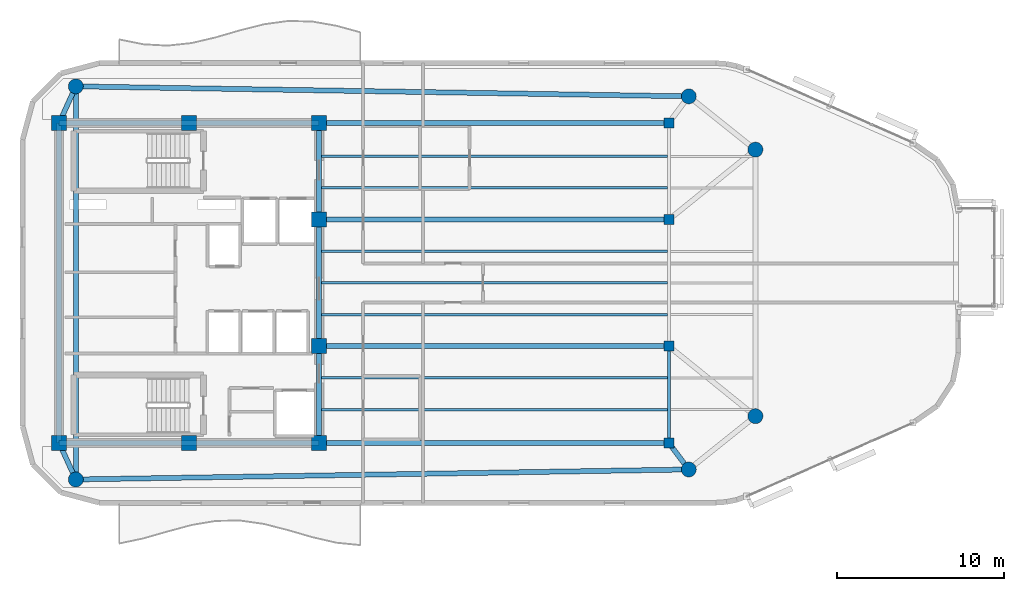
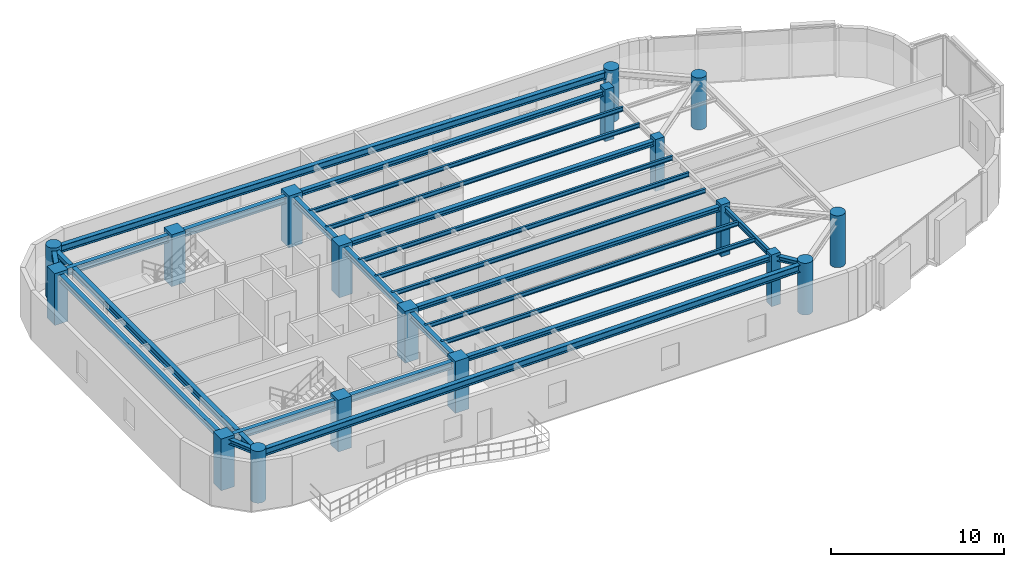
# One storey, part 1 of 13: 24 beams, 18 columns.
"""IFC4 building model written with IfcOpenShell, lengths in metres."""

from ifc_helpers import new_model, si_unit, direction, frame, origin, origin_2d, place, context, subcontext, project, spatial, rectangle, circle, i_section, extrude, material, material_profile, profile_set, type_object, element, save


model = new_model("IFC4")

# Units and contexts
model_context = context("Model", 3, precision=1e-05, world=origin(), true_north=direction((0.0, 1.0)))
body_context = subcontext(model_context, "Body", "Model", "MODEL_VIEW")
ifc_project = project(units=[si_unit("LENGTHUNIT", "METRE"), si_unit("AREAUNIT", "SQUARE_METRE"), si_unit("VOLUMEUNIT", "CUBIC_METRE"), si_unit("PLANEANGLEUNIT", "RADIAN"), si_unit("MASSUNIT", "GRAM", prefix="KILO")], contexts=[model_context])

# Site, building, storey
site_placement = place(None, origin())
site = spatial("IfcSite", under=ifc_project, at=site_placement, CompositionType="ELEMENT")
building_placement = place(site_placement, origin())
building = spatial("IfcBuilding", under=site, at=building_placement, Name="An Khanh Terracotta Commons", CompositionType="ELEMENT")
storey_placement = place(building_placement, frame((0.0, 0.0, 277.050048828125)))
storey = spatial("IfcBuildingStorey", under=building, at=storey_placement, Name="L72", CompositionType="ELEMENT", Elevation=277.050048828125)

# Columns
ifc_material_1 = material(Name="Concrete C50/60", Category="concrete")
ifc_material_profile_1 = material_profile(ifc_material_1, circle(Radius=0.449951171875, at=origin_2d()), Name="CFST900")
ifc_profile_set_1 = profile_set([ifc_material_profile_1], Name="Concrete C50/60")
column_type_1 = type_object("IfcColumnType", Name="COL-CFST900", PredefinedType="COLUMN", material=ifc_profile_set_1)
for number, where, z_axis, x_axis, name in (
    (1, (22.60009765625, 12.199951171875, 0.0), (0.0, 0.0, 1.0), (1.0, 0.0, 0.0), "L72 Perimeter CFST Mega-Column MC-01"),
    (2, (59.39990234375, 12.800048828125, 0.0), (0.0, 0.0, 1.0), (1.0, 0.0, 0.0), "L72 Perimeter CFST Mega-Column MC-02"),
    (3, (63.39990234375, 16.0, 0.0), (0.0, 0.0, 1.0), (1.0, 0.0, 0.0), "L72 Perimeter CFST Mega-Column MC-03"),
    (4, (63.39990234375, 32.0, 0.0), (0.0, 0.0, 1.0), (1.0, 0.0, 0.0), "L72 Perimeter CFST Mega-Column MC-04"),
    (5, (59.39990234375, 35.199951171875, 0.0), (0.0, 0.0, 1.0), (1.0, 0.0, 0.0), "L72 Perimeter CFST Mega-Column MC-05"),
    (6, (22.60009765625, 35.800048828125, 0.0), (0.0, 0.0, 1.0), (1.0, 0.0, 0.0), "L72 Perimeter CFST Mega-Column MC-06"),
):
    element("IfcColumn", number, at=place(storey_placement, frame(where, z_axis=z_axis, x_axis=x_axis)), inside=storey, type_object=column_type_1, Name=name, PredefinedType="COLUMN", context=body_context, shape_type="SweptSolid", body=[
        extrude(circle(Radius=0.449951171875, at=origin_2d()), origin(), (0.0, 0.0, 1.0), 3.64990234375),
    ])
ifc_material_profile_2 = material_profile(ifc_material_1, rectangle(XDim=0.60009765625, YDim=0.60009765625, at=origin_2d()), Name="RC600x600")
ifc_profile_set_2 = profile_set([ifc_material_profile_2], Name="Concrete C50/60")
column_type_2 = type_object("IfcColumnType", Name="COL-RC600x600", PredefinedType="COLUMN", material=ifc_profile_set_2)
for number, where, z_axis, x_axis, name in (
    (7, (58.199951171875, 14.39990234375, 0.0), (0.0, 0.0, 1.0), (1.0, 0.0, 0.0), "L72 Interior Frame Column TC-01"),
    (8, (58.199951171875, 20.199951171875, 0.0), (0.0, 0.0, 1.0), (1.0, 0.0, 0.0), "L72 Interior Frame Column TC-02"),
    (9, (58.199951171875, 27.800048828125, 0.0), (0.0, 0.0, 1.0), (1.0, 0.0, 0.0), "L72 Interior Frame Column TC-03"),
    (10, (58.199951171875, 33.60009765625, 0.0), (0.0, 0.0, 1.0), (1.0, 0.0, 0.0), "L72 Interior Frame Column TC-04"),
):
    element("IfcColumn", number, at=place(storey_placement, frame(where, z_axis=z_axis, x_axis=x_axis)), inside=storey, type_object=column_type_2, Name=name, PredefinedType="COLUMN", context=body_context, shape_type="SweptSolid", body=[
        extrude(rectangle(XDim=0.60009765625, YDim=0.60009765625, at=origin_2d()), origin(), (0.0, 0.0, 1.0), 3.64990234375),
    ])
ifc_material_profile_3 = material_profile(ifc_material_1, rectangle(XDim=0.89990234375, YDim=0.89990234375, at=origin_2d()), Name="RC900x900")
ifc_profile_set_3 = profile_set([ifc_material_profile_3], Name="Concrete C50/60")
column_type_3 = type_object("IfcColumnType", Name="COL-RC900x900", PredefinedType="COLUMN", material=ifc_profile_set_3)
for number, where, z_axis, x_axis, name in (
    (11, (21.60009765625, 14.39990234375, 0.0), (0.0, 0.0, 1.0), (1.0, 0.0, 0.0), "L72 Core Boundary Column CC-01"),
    (12, (29.39990234375, 14.39990234375, 0.0), (0.0, 0.0, 1.0), (1.0, 0.0, 0.0), "L72 Core Boundary Column CC-02"),
    (13, (37.199951171875, 14.39990234375, 0.0), (0.0, 0.0, 1.0), (1.0, 0.0, 0.0), "L72 Core Boundary Column CC-03"),
    (14, (37.199951171875, 20.199951171875, 0.0), (0.0, 0.0, 1.0), (1.0, 0.0, 0.0), "L72 Core Boundary Column CC-04"),
    (15, (37.199951171875, 27.800048828125, 0.0), (0.0, 0.0, 1.0), (1.0, 0.0, 0.0), "L72 Core Boundary Column CC-05"),
    (16, (37.199951171875, 33.60009765625, 0.0), (0.0, 0.0, 1.0), (1.0, 0.0, 0.0), "L72 Core Boundary Column CC-06"),
    (17, (29.39990234375, 33.60009765625, 0.0), (0.0, 0.0, 1.0), (1.0, 0.0, 0.0), "L72 Core Boundary Column CC-07"),
    (18, (21.60009765625, 33.60009765625, 0.0), (0.0, 0.0, 1.0), (1.0, 0.0, 0.0), "L72 Core Boundary Column CC-08"),
):
    element("IfcColumn", number, at=place(storey_placement, frame(where, z_axis=z_axis, x_axis=x_axis)), inside=storey, type_object=column_type_3, Name=name, PredefinedType="COLUMN", context=body_context, shape_type="SweptSolid", body=[
        extrude(rectangle(XDim=0.89990234375, YDim=0.89990234375, at=origin_2d()), origin(), (0.0, 0.0, 1.0), 3.64990234375),
    ])

# Beams
ifc_material_2 = material(Name="Steel S355J2", Category="steel")
ifc_material_profile_4 = material_profile(ifc_material_2, i_section(OverallWidth=0.300048828125, OverallDepth=0.340087890625, WebThickness=0.011962890625, FlangeThickness=0.021484375, FilletRadius=0.027099609375, at=origin_2d()), Name="HEB340")
ifc_profile_set_4 = profile_set([ifc_material_profile_4], Name="Steel S355J2")
beam_type_1 = type_object("IfcBeamType", Name="BM-HEB340", PredefinedType="BEAM", material=ifc_profile_set_4)
for number, where, z_axis, x_axis, name in (
    (19, (37.199951171875, 14.39990234375, 3.280029296875), (1.0, 0.0, 0.0), (0.0, 1.0, 0.0), "L72 East Primary Floor Girder 1"),
    (20, (37.199951171875, 20.199951171875, 3.280029296875), (1.0, 0.0, 0.0), (0.0, 1.0, 0.0), "L72 East Primary Floor Girder 2"),
    (21, (37.199951171875, 27.800048828125, 3.280029296875), (1.0, 0.0, 0.0), (0.0, 1.0, 0.0), "L72 East Primary Floor Girder 3"),
    (22, (37.199951171875, 33.60009765625, 3.280029296875), (1.0, 0.0, 0.0), (0.0, 1.0, 0.0), "L72 East Primary Floor Girder 4"),
):
    element("IfcBeam", number, at=place(storey_placement, frame(where, z_axis=z_axis, x_axis=x_axis)), inside=storey, type_object=beam_type_1, Name=name, PredefinedType="BEAM", context=body_context, shape_type="SweptSolid", body=[
        extrude(i_section(OverallWidth=0.300048828125, OverallDepth=0.340087890625, WebThickness=0.011962890625, FlangeThickness=0.021484375, FilletRadius=0.027099609375, at=origin_2d()), origin(), (0.0, 0.0, 1.0), 21.0),
    ])
beam_1_placement = place(storey_placement, frame((22.60009765625, 12.199951171875, 3.280029296875), z_axis=(-0.413810555983, 0.910363017569, 0.0), x_axis=(-0.910363017569, -0.413810555983, 0.0)))
element("IfcBeam", 23, at=beam_1_placement, inside=storey, type_object=beam_type_1, Name="L72 Mega-Column Tie Girder 1", PredefinedType="BEAM", context=body_context, shape_type="SweptSolid", body=[
    extrude(i_section(OverallWidth=0.300048828125, OverallDepth=0.340087890625, WebThickness=0.011962890625, FlangeThickness=0.021484375, FilletRadius=0.027099609375, at=origin_2d()), origin(), (0.0, 0.0, 1.0), 2.41650390625),
])
beam_2_placement = place(storey_placement, frame((59.39990234375, 12.800048828125, 3.280029296875), z_axis=(-0.600019532502, 0.799985350251, 0.0), x_axis=(-0.799985350251, -0.600019532502, 0.0)))
element("IfcBeam", 24, at=beam_2_placement, inside=storey, type_object=beam_type_1, Name="L72 Mega-Column Tie Girder 2", PredefinedType="BEAM", context=body_context, shape_type="SweptSolid", body=[
    extrude(i_section(OverallWidth=0.300048828125, OverallDepth=0.340087890625, WebThickness=0.011962890625, FlangeThickness=0.021484375, FilletRadius=0.027099609375, at=origin_2d()), origin(), (0.0, 0.0, 1.0), 1.999755859375),
])
beam_3_placement = place(storey_placement, frame((22.60009765625, 35.800048828125, 3.280029296875), z_axis=(-0.413810555983, -0.910363017569, 0.0), x_axis=(0.910363017569, -0.413810555983, 0.0)))
element("IfcBeam", 25, at=beam_3_placement, inside=storey, type_object=beam_type_1, Name="L72 Mega-Column Tie Girder 6", PredefinedType="BEAM", context=body_context, shape_type="SweptSolid", body=[
    extrude(i_section(OverallWidth=0.300048828125, OverallDepth=0.340087890625, WebThickness=0.011962890625, FlangeThickness=0.021484375, FilletRadius=0.027099609375, at=origin_2d()), origin(), (0.0, 0.0, 1.0), 2.41650390625),
])
ifc_material_profile_5 = material_profile(ifc_material_2, i_section(OverallWidth=0.300048828125, OverallDepth=0.449951171875, WebThickness=0.013916015625, FlangeThickness=0.02587890625, FilletRadius=0.027099609375, at=origin_2d()), Name="HEB450")
ifc_profile_set_5 = profile_set([ifc_material_profile_5], Name="Steel S355J2")
beam_type_2 = type_object("IfcBeamType", Name="BM-HEB450", PredefinedType="BEAM", material=ifc_profile_set_5)
beam_4_placement = place(storey_placement, frame((37.199951171875, 14.39990234375, 3.224853515625), z_axis=(0.0, 1.0, 0.0), x_axis=(-1.0, 0.0, 0.0)))
element("IfcBeam", 26, at=beam_4_placement, inside=storey, type_object=beam_type_2, Name="L72 Core East Coupling Girder 1", PredefinedType="BEAM", context=body_context, shape_type="SweptSolid", body=[
    extrude(i_section(OverallWidth=0.300048828125, OverallDepth=0.449951171875, WebThickness=0.013916015625, FlangeThickness=0.02587890625, FilletRadius=0.027099609375, at=origin_2d()), origin(), (0.0, 0.0, 1.0), 5.800048828125),
])
beam_5_placement = place(storey_placement, frame((37.199951171875, 20.199951171875, 3.224853515625), z_axis=(0.0, 1.0, 0.0), x_axis=(-1.0, 0.0, 0.0)))
element("IfcBeam", 27, at=beam_5_placement, inside=storey, type_object=beam_type_2, Name="L72 Core East Coupling Girder 2", PredefinedType="BEAM", context=body_context, shape_type="SweptSolid", body=[
    extrude(i_section(OverallWidth=0.300048828125, OverallDepth=0.449951171875, WebThickness=0.013916015625, FlangeThickness=0.02587890625, FilletRadius=0.027099609375, at=origin_2d()), origin(), (0.0, 0.0, 1.0), 7.60009765625),
])
beam_6_placement = place(storey_placement, frame((37.199951171875, 27.800048828125, 3.224853515625), z_axis=(0.0, 1.0, 0.0), x_axis=(-1.0, 0.0, 0.0)))
element("IfcBeam", 28, at=beam_6_placement, inside=storey, type_object=beam_type_2, Name="L72 Core East Coupling Girder 3", PredefinedType="BEAM", context=body_context, shape_type="SweptSolid", body=[
    extrude(i_section(OverallWidth=0.300048828125, OverallDepth=0.449951171875, WebThickness=0.013916015625, FlangeThickness=0.02587890625, FilletRadius=0.027099609375, at=origin_2d()), origin(), (0.0, 0.0, 1.0), 5.800048828125),
])
beam_7_placement = place(storey_placement, frame((21.60009765625, 14.39990234375, 3.224853515625), z_axis=(0.0, 1.0, 0.0), x_axis=(-1.0, 0.0, 0.0)))
element("IfcBeam", 29, at=beam_7_placement, inside=storey, type_object=beam_type_2, Name="L72 Core West Coupling Girder", PredefinedType="BEAM", context=body_context, shape_type="SweptSolid", body=[
    extrude(i_section(OverallWidth=0.300048828125, OverallDepth=0.449951171875, WebThickness=0.013916015625, FlangeThickness=0.02587890625, FilletRadius=0.027099609375, at=origin_2d()), origin(), (0.0, 0.0, 1.0), 19.2001953125),
])
ifc_material_profile_6 = material_profile(ifc_material_2, i_section(OverallWidth=0.300048828125, OverallDepth=0.5, WebThickness=0.014404296875, FlangeThickness=0.028076171875, FilletRadius=0.027099609375, at=origin_2d()), Name="HEB500")
ifc_profile_set_6 = profile_set([ifc_material_profile_6], Name="Steel S355J2")
beam_type_3 = type_object("IfcBeamType", Name="BM-HEB500", PredefinedType="BEAM", material=ifc_profile_set_6)
for number, where, z_axis, x_axis, name in (
    (30, (21.60009765625, 14.39990234375, 3.199951171875), (1.0, 0.0, 0.0), (0.0, 1.0, 0.0), "L72 Core South Coupling Girder"),
    (31, (21.60009765625, 33.60009765625, 3.199951171875), (1.0, 0.0, 0.0), (0.0, 1.0, 0.0), "L72 Core North Coupling Girder"),
):
    element("IfcBeam", number, at=place(storey_placement, frame(where, z_axis=z_axis, x_axis=x_axis)), inside=storey, type_object=beam_type_3, Name=name, PredefinedType="BEAM", context=body_context, shape_type="SweptSolid", body=[
        extrude(i_section(OverallWidth=0.300048828125, OverallDepth=0.5, WebThickness=0.014404296875, FlangeThickness=0.028076171875, FilletRadius=0.027099609375, at=origin_2d()), origin(), (0.0, 0.0, 1.0), 15.599853515625),
    ])
for number, where, z_axis, x_axis, name in (
    (32, (22.60009765625, 12.199951171875, 3.199951171875), (0.999867065951, 0.01630492031, 0.0), (-0.01630492031, 0.999867065951, 0.0), "L72 Perimeter Ring Spandrel 1"),
    (33, (59.39990234375, 35.199951171875, 3.199951171875), (-0.999867065951, 0.01630492031, 0.0), (-0.01630492031, -0.999867065951, 0.0), "L72 Perimeter Ring Spandrel 5"),
):
    element("IfcBeam", number, at=place(storey_placement, frame(where, z_axis=z_axis, x_axis=x_axis)), inside=storey, type_object=beam_type_3, Name=name, PredefinedType="BEAM", context=body_context, shape_type="SweptSolid", body=[
        extrude(i_section(OverallWidth=0.300048828125, OverallDepth=0.5, WebThickness=0.014404296875, FlangeThickness=0.028076171875, FilletRadius=0.027099609375, at=origin_2d()), origin(), (0.0, 0.0, 1.0), 36.8046875),
    ])
beam_8_placement = place(storey_placement, frame((22.60009765625, 35.800048828125, 3.199951171875), z_axis=(0.0, -1.0, 0.0), x_axis=(1.0, 0.0, 0.0)))
element("IfcBeam", 34, at=beam_8_placement, inside=storey, type_object=beam_type_3, Name="L72 Perimeter Ring Spandrel 6", PredefinedType="BEAM", context=body_context, shape_type="SweptSolid", body=[
    extrude(i_section(OverallWidth=0.300048828125, OverallDepth=0.5, WebThickness=0.014404296875, FlangeThickness=0.028076171875, FilletRadius=0.027099609375, at=origin_2d()), origin(), (0.0, 0.0, 1.0), 23.60009765625),
])
ifc_material_profile_7 = material_profile(ifc_material_2, i_section(OverallWidth=0.14990234375, OverallDepth=0.300048828125, WebThickness=0.007080078125, FlangeThickness=0.0107421875, FilletRadius=0.014892578125, at=origin_2d()), Name="IPE300")
ifc_profile_set_7 = profile_set([ifc_material_profile_7], Name="Steel S355J2")
beam_type_4 = type_object("IfcBeamType", Name="BM-IPE300", PredefinedType="JOIST", material=ifc_profile_set_7)
for number, where, z_axis, x_axis, name in (
    (35, (37.199951171875, 16.39990234375, 3.300048828125), (1.0, 0.0, 0.0), (0.0, 1.0, 0.0), "L72 Inboard Composite Joist 1"),
    (36, (37.199951171875, 18.300048828125, 3.300048828125), (1.0, 0.0, 0.0), (0.0, 1.0, 0.0), "L72 Inboard Composite Joist 2"),
    (37, (37.199951171875, 22.10009765625, 3.300048828125), (1.0, 0.0, 0.0), (0.0, 1.0, 0.0), "L72 Inboard Composite Joist 3"),
    (38, (37.199951171875, 24.0, 3.300048828125), (1.0, 0.0, 0.0), (0.0, 1.0, 0.0), "L72 Inboard Composite Joist 4"),
    (39, (37.199951171875, 25.89990234375, 3.300048828125), (1.0, 0.0, 0.0), (0.0, 1.0, 0.0), "L72 Inboard Composite Joist 5"),
    (40, (37.199951171875, 29.699951171875, 3.300048828125), (1.0, 0.0, 0.0), (0.0, 1.0, 0.0), "L72 Inboard Composite Joist 6"),
    (41, (37.199951171875, 31.60009765625, 3.300048828125), (1.0, 0.0, 0.0), (0.0, 1.0, 0.0), "L72 Inboard Composite Joist 7"),
):
    element("IfcBeam", number, at=place(storey_placement, frame(where, z_axis=z_axis, x_axis=x_axis)), inside=storey, type_object=beam_type_4, Name=name, PredefinedType="JOIST", context=body_context, shape_type="SweptSolid", body=[
        extrude(i_section(OverallWidth=0.14990234375, OverallDepth=0.300048828125, WebThickness=0.007080078125, FlangeThickness=0.0107421875, FilletRadius=0.014892578125, at=origin_2d()), origin(), (0.0, 0.0, 1.0), 20.91015625),
    ])
ifc_material_profile_8 = material_profile(ifc_material_2, i_section(OverallWidth=0.179931640625, OverallDepth=0.39990234375, WebThickness=0.008544921875, FlangeThickness=0.013427734375, FilletRadius=0.02099609375, at=origin_2d()), Name="IPE400")
ifc_profile_set_8 = profile_set([ifc_material_profile_8], Name="Steel S355J2")
beam_type_5 = type_object("IfcBeamType", Name="BM-IPE400", PredefinedType="JOIST", material=ifc_profile_set_8)
beam_9_placement = place(storey_placement, frame((58.199951171875, 14.550048828125, 3.25), z_axis=(0.0, 1.0, 0.0), x_axis=(-1.0, 0.0, 0.0)))
element("IfcBeam", 42, at=beam_9_placement, inside=storey, type_object=beam_type_5, Name="L72 East Spine Girder 1", PredefinedType="JOIST", context=body_context, shape_type="SweptSolid", body=[
    extrude(i_section(OverallWidth=0.179931640625, OverallDepth=0.39990234375, WebThickness=0.008544921875, FlangeThickness=0.013427734375, FilletRadius=0.02099609375, at=origin_2d()), origin(), (0.0, 0.0, 1.0), 5.5),
])

save(model, "model.ifc")
